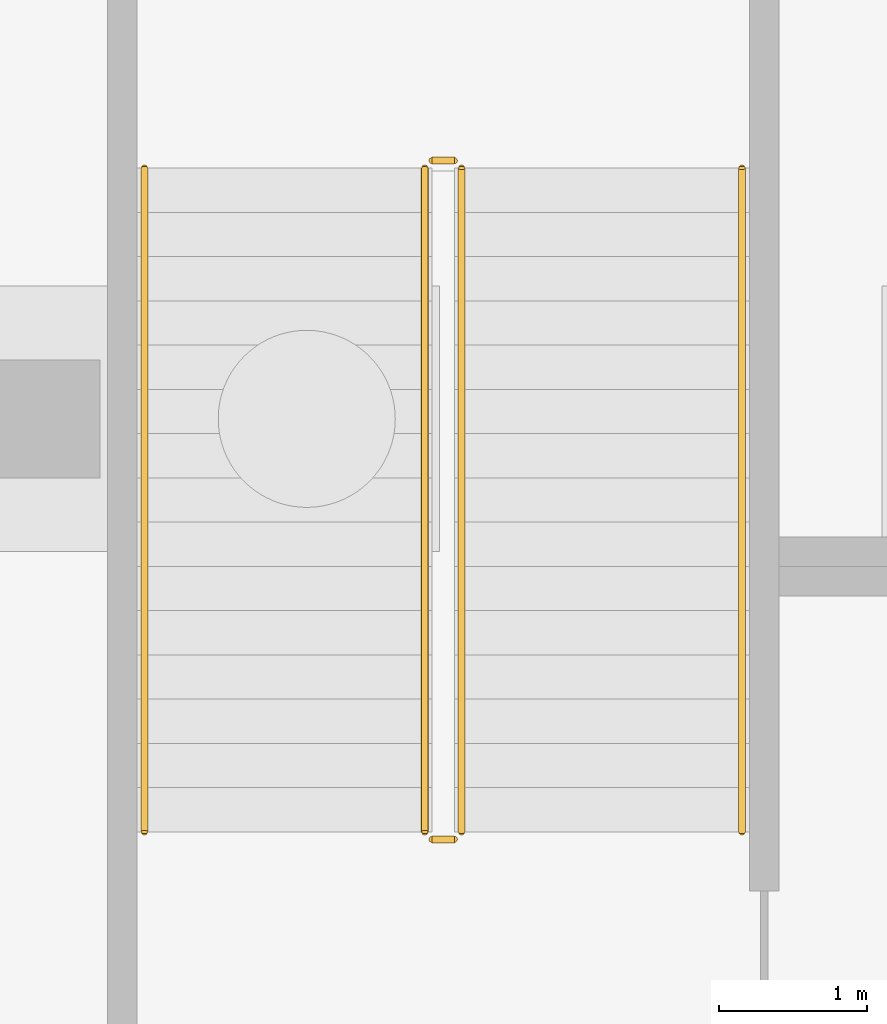
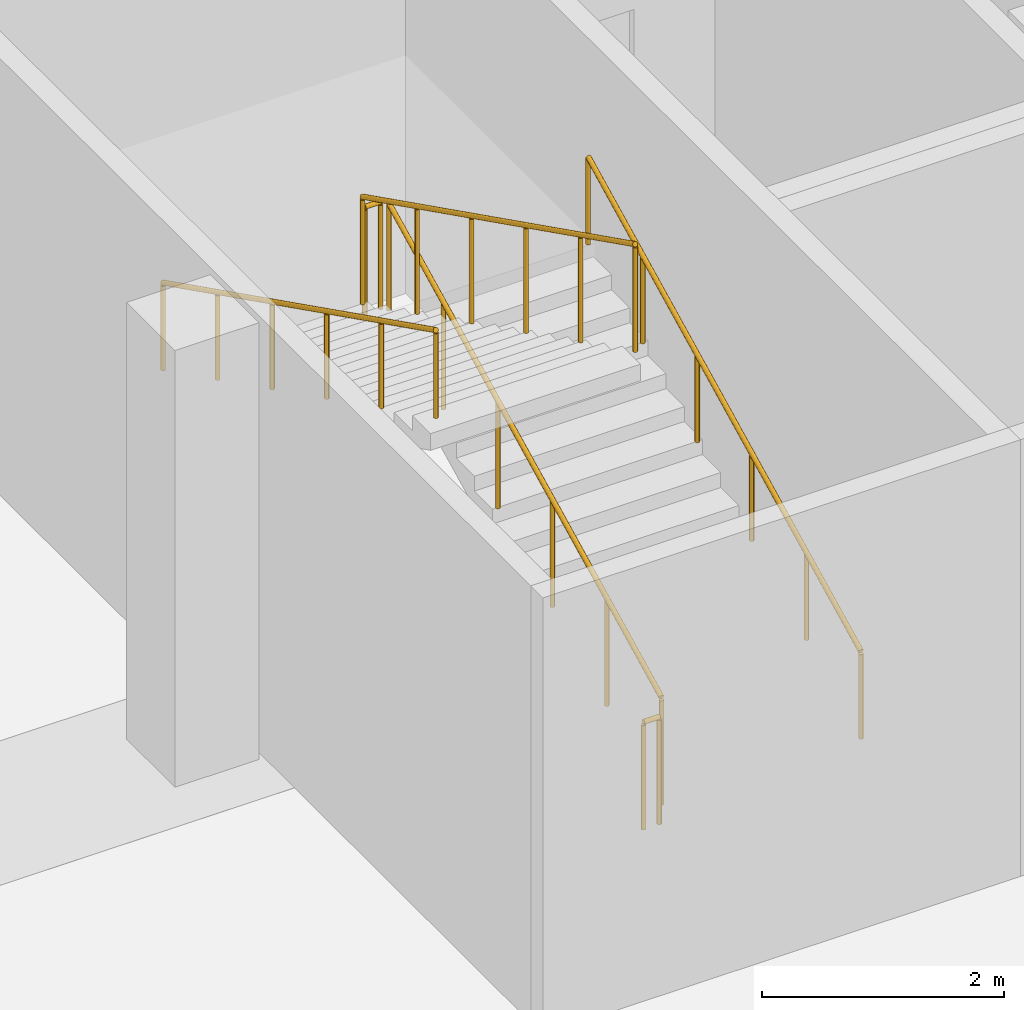
# One storey, part 42 of 46: 6 railings.
"""IFC4 building model written with IfcOpenShell, lengths in metres."""

from ifc_helpers import new_model, si_unit, direction, frame, origin, origin_2d, place, context, subcontext, project, spatial, circle, extrude, material, type_object, element, save


model = new_model("IFC4")

# Units and contexts
model_context = context("Model", 3, precision=1e-05, world=origin(), true_north=direction((0.0, 1.0)))
body_context = subcontext(model_context, "Body", "Model", "MODEL_VIEW")
ifc_project = project(units=[si_unit("LENGTHUNIT", "METRE"), si_unit("AREAUNIT", "SQUARE_METRE"), si_unit("VOLUMEUNIT", "CUBIC_METRE"), si_unit("PLANEANGLEUNIT", "RADIAN"), si_unit("MASSUNIT", "GRAM", prefix="KILO")], contexts=[model_context])

# Site, building, storey
site_placement = place(None, origin())
site = spatial("IfcSite", under=ifc_project, at=site_placement, CompositionType="ELEMENT")
building_placement = place(site_placement, origin())
building = spatial("IfcBuilding", under=site, at=building_placement, Name="Tamra Quay Hotel Tower", CompositionType="ELEMENT")
storey_placement = place(building_placement, frame((0.0, 0.0, -12.0)))
storey = spatial("IfcBuildingStorey", under=building, at=storey_placement, Name="B3", CompositionType="ELEMENT", Elevation=-12.0)

# Railings
ifc_material_1 = material(Name="Basement stair guard 1100")
railing_type_1 = type_object("IfcRailingType", Name="Basement stair guard 1100", PredefinedType="GUARDRAIL", material=ifc_material_1)
railing_1_placement = place(storey_placement, frame((-111.449951171875, 61.199951171875, 0.14990234375)))
element("IfcRailing", 1, at=railing_1_placement, inside=storey, type_object=railing_type_1, Name="BSG", PredefinedType="GUARDRAIL", context=body_context, shape_type="SweptSolid", body=[
    extrude(circle(Radius=0.02392578125, at=origin_2d()), frame((0.0, 0.0, 1.076171875), z_axis=(0.0, 0.894427191, 0.4472135955), x_axis=(-1.0, 0.0, 0.0)), (0.0, 0.0, 1.0), 5.03125),
    extrude(circle(Radius=0.02099609375, at=origin_2d()), origin(), (0.0, 0.0, 1.0), 1.052001953125),
    extrude(circle(Radius=0.02099609375, at=origin_2d()), frame((0.0, 0.89990234375, 0.449951171875)), (0.0, 0.0, 1.0), 1.052001953125),
    extrude(circle(Radius=0.02099609375, at=origin_2d()), frame((0.0, 1.800048828125, 0.89990234375)), (0.0, 0.0, 1.0), 1.052001953125),
    extrude(circle(Radius=0.02099609375, at=origin_2d()), frame((0.0, 2.699951171875, 1.35009765625)), (0.0, 0.0, 1.0), 1.052001953125),
    extrude(circle(Radius=0.02099609375, at=origin_2d()), frame((0.0, 3.60009765625, 1.800048828125)), (0.0, 0.0, 1.0), 1.052001953125),
    extrude(circle(Radius=0.02099609375, at=origin_2d()), frame((0.0, 4.5, 2.25)), (0.0, 0.0, 1.0), 1.052001953125),
])
railing_2_placement = place(storey_placement, frame((-111.5, 65.75, 2.39990234375)))
element("IfcRailing", 2, at=railing_2_placement, inside=storey, type_object=railing_type_1, Name="BSG", PredefinedType="GUARDRAIL", context=body_context, shape_type="SweptSolid", body=[
    extrude(circle(Radius=0.02392578125, at=origin_2d()), frame((0.0, 0.0, 1.076171875), z_axis=(-1.0, 0.0, 0.0), x_axis=(0.0, -1.0, 0.0)), (0.0, 0.0, 1.0), 0.14990234375),
    extrude(circle(Radius=0.02099609375, at=origin_2d()), origin(), (0.0, 0.0, 1.0), 1.052001953125),
    extrude(circle(Radius=0.02099609375, at=origin_2d()), frame((-0.14990234375, 0.0, 0.0)), (0.0, 0.0, 1.0), 1.052001953125),
])
railing_3_placement = place(storey_placement, frame((-111.699951171875, 65.699951171875, 2.550048828125)))
element("IfcRailing", 3, at=railing_3_placement, inside=storey, type_object=railing_type_1, Name="BSG", PredefinedType="GUARDRAIL", context=body_context, shape_type="SweptSolid", body=[
    extrude(circle(Radius=0.02392578125, at=origin_2d()), frame((0.0, 0.0, 1.076171875), z_axis=(0.0, -0.894427191, 0.4472135955), x_axis=(1.0, 0.0, 0.0)), (0.0, 0.0, 1.0), 5.03125),
    extrude(circle(Radius=0.02099609375, at=origin_2d()), origin(), (0.0, 0.0, 1.0), 1.052001953125),
    extrude(circle(Radius=0.02099609375, at=origin_2d()), frame((0.0, -0.89990234375, 0.449951171875)), (0.0, 0.0, 1.0), 1.052001953125),
    extrude(circle(Radius=0.02099609375, at=origin_2d()), frame((0.0, -1.800048828125, 0.89990234375)), (0.0, 0.0, 1.0), 1.052001953125),
    extrude(circle(Radius=0.02099609375, at=origin_2d()), frame((0.0, -2.699951171875, 1.35009765625)), (0.0, 0.0, 1.0), 1.052001953125),
    extrude(circle(Radius=0.02099609375, at=origin_2d()), frame((0.0, -3.60009765625, 1.800048828125)), (0.0, 0.0, 1.0), 1.052001953125),
    extrude(circle(Radius=0.02099609375, at=origin_2d()), frame((0.0, -4.5, 2.25)), (0.0, 0.0, 1.0), 1.052001953125),
])
railing_4_placement = place(storey_placement, frame((-111.5, 61.14990234375, 0.0)))
element("IfcRailing", 4, at=railing_4_placement, inside=storey, type_object=railing_type_1, Name="BSG", PredefinedType="GUARDRAIL", context=body_context, shape_type="SweptSolid", body=[
    extrude(circle(Radius=0.02392578125, at=origin_2d()), frame((0.0, 0.0, 1.076171875), z_axis=(-1.0, 0.0, 0.0), x_axis=(0.0, -1.0, 0.0)), (0.0, 0.0, 1.0), 0.14990234375),
    extrude(circle(Radius=0.02099609375, at=origin_2d()), origin(), (0.0, 0.0, 1.0), 1.052001953125),
    extrude(circle(Radius=0.02099609375, at=origin_2d()), frame((-0.14990234375, 0.0, 0.0)), (0.0, 0.0, 1.0), 1.052001953125),
])
ifc_material_2 = material(Name="Basement stair handrail 900")
railing_type_2 = type_object("IfcRailingType", Name="Basement stair handrail 900", PredefinedType="HANDRAIL", material=ifc_material_2)
railing_5_placement = place(storey_placement, frame((-109.550048828125, 61.199951171875, 0.14990234375)))
element("IfcRailing", 5, at=railing_5_placement, inside=storey, type_object=railing_type_2, Name="BSH", PredefinedType="HANDRAIL", context=body_context, shape_type="SweptSolid", body=[
    extrude(circle(Radius=0.02392578125, at=origin_2d()), frame((0.0, 0.0, 0.8759765625), z_axis=(0.0, 0.894427191, 0.4472135955), x_axis=(-1.0, 0.0, 0.0)), (0.0, 0.0, 1.0), 5.03125),
    extrude(circle(Radius=0.02099609375, at=origin_2d()), origin(), (0.0, 0.0, 1.0), 0.851806640625),
    extrude(circle(Radius=0.02099609375, at=origin_2d()), frame((0.0, 0.89990234375, 0.449951171875)), (0.0, 0.0, 1.0), 0.851806640625),
    extrude(circle(Radius=0.02099609375, at=origin_2d()), frame((0.0, 1.800048828125, 0.89990234375)), (0.0, 0.0, 1.0), 0.851806640625),
    extrude(circle(Radius=0.02099609375, at=origin_2d()), frame((0.0, 2.699951171875, 1.35009765625)), (0.0, 0.0, 1.0), 0.851806640625),
    extrude(circle(Radius=0.02099609375, at=origin_2d()), frame((0.0, 3.60009765625, 1.800048828125)), (0.0, 0.0, 1.0), 0.851806640625),
    extrude(circle(Radius=0.02099609375, at=origin_2d()), frame((0.0, 4.5, 2.25)), (0.0, 0.0, 1.0), 0.851806640625),
])
railing_6_placement = place(storey_placement, frame((-113.60009765625, 65.699951171875, 2.550048828125)))
element("IfcRailing", 6, at=railing_6_placement, inside=storey, type_object=railing_type_2, Name="BSH", PredefinedType="HANDRAIL", context=body_context, shape_type="SweptSolid", body=[
    extrude(circle(Radius=0.02392578125, at=origin_2d()), frame((0.0, 0.0, 0.8759765625), z_axis=(0.0, -0.894427191, 0.4472135955), x_axis=(1.0, 0.0, 0.0)), (0.0, 0.0, 1.0), 5.03125),
    extrude(circle(Radius=0.02099609375, at=origin_2d()), origin(), (0.0, 0.0, 1.0), 0.851806640625),
    extrude(circle(Radius=0.02099609375, at=origin_2d()), frame((0.0, -0.89990234375, 0.449951171875)), (0.0, 0.0, 1.0), 0.851806640625),
    extrude(circle(Radius=0.02099609375, at=origin_2d()), frame((0.0, -1.800048828125, 0.89990234375)), (0.0, 0.0, 1.0), 0.851806640625),
    extrude(circle(Radius=0.02099609375, at=origin_2d()), frame((0.0, -2.699951171875, 1.35009765625)), (0.0, 0.0, 1.0), 0.851806640625),
    extrude(circle(Radius=0.02099609375, at=origin_2d()), frame((0.0, -3.60009765625, 1.800048828125)), (0.0, 0.0, 1.0), 0.851806640625),
    extrude(circle(Radius=0.02099609375, at=origin_2d()), frame((0.0, -4.5, 2.25)), (0.0, 0.0, 1.0), 0.851806640625),
])

save(model, "model.ifc")
